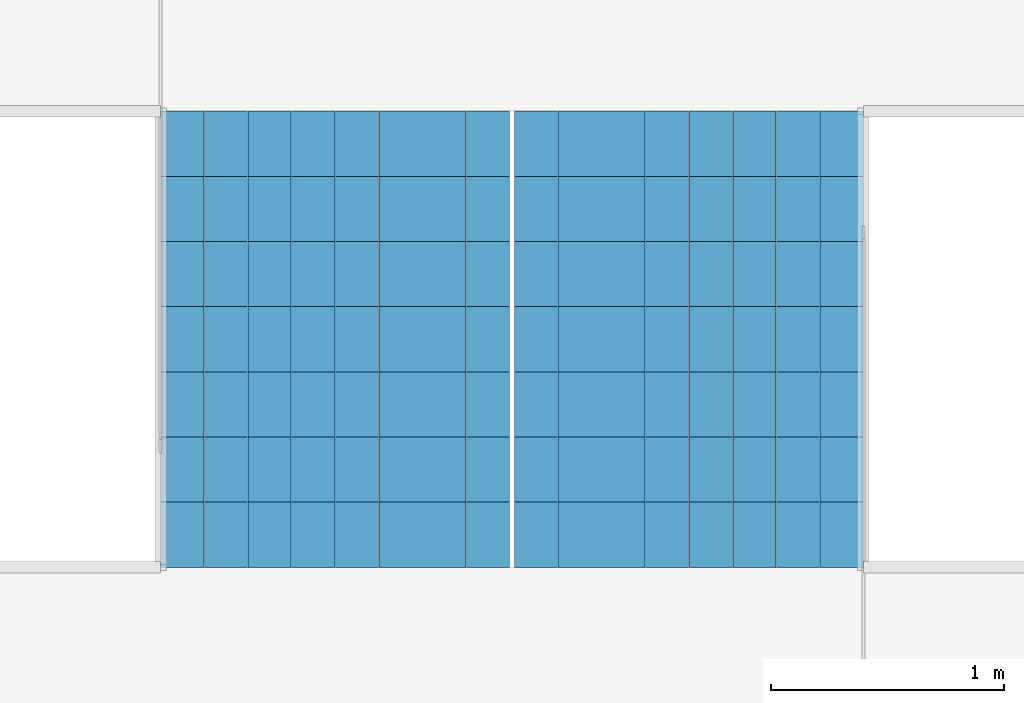
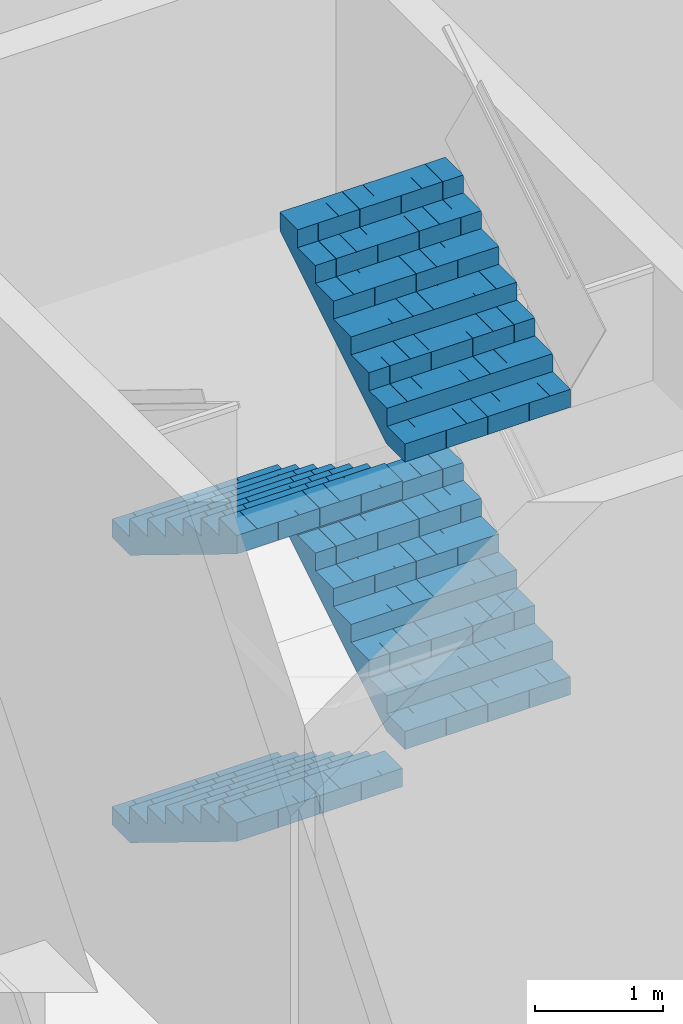
# One storey, part 25 of 27: 4 stair flights, 1 element without a shape of its own.
"""IFC4 building model written with IfcOpenShell, lengths in metres."""

from ifc_helpers import new_model, si_unit, direction, frame, origin, place, context, subcontext, project, spatial, polyline, outline, extrude, material, type_object, element, aggregate, save


model = new_model("IFC4")

# Units and contexts
model_context = context("Model", 3, precision=1e-05, world=origin(), true_north=direction((0.0, 1.0)))
body_context = subcontext(model_context, "Body", "Model", "MODEL_VIEW")
ifc_project = project(units=[si_unit("LENGTHUNIT", "METRE"), si_unit("AREAUNIT", "SQUARE_METRE"), si_unit("VOLUMEUNIT", "CUBIC_METRE"), si_unit("PLANEANGLEUNIT", "RADIAN"), si_unit("MASSUNIT", "GRAM", prefix="KILO")], contexts=[model_context])

# Site, building, storey
site_placement = place(None, origin())
site = spatial("IfcSite", under=ifc_project, at=site_placement, CompositionType="ELEMENT")
building_placement = place(site_placement, origin())
building = spatial("IfcBuilding", under=site, at=building_placement, Name="Kolab Exchange Tower", CompositionType="ELEMENT")
storey_placement = place(building_placement, frame((0.0, 0.0, 49.89990234375)))
storey = spatial("IfcBuildingStorey", under=building, at=storey_placement, Name="L09", CompositionType="ELEMENT", Elevation=49.89990234375)

# Stair, stair flights
ifc_material = material(Name="Concrete C50/60", Category="concrete")
stair_type = type_object("IfcStairType", Name="STAIR ST4 RISER 171.9", PredefinedType="DOUBLE_RETURN_STAIR", material=ifc_material)
stair_placement = place(storey_placement, origin())
stair = element("IfcStair", 1, at=stair_placement, inside=storey, type_object=stair_type, Name="Stair 4", PredefinedType="DOUBLE_RETURN_STAIR")
stair_flight_type = type_object("IfcStairFlightType", Name="STAIR FLIGHT 1500 RISER 171.9", PredefinedType="STRAIGHT", material=ifc_material)
stair_flight_1_placement = place(storey_placement, frame((18.43994140625, 0.64990234375, 0.0), z_axis=(0.0, 0.0, 1.0), x_axis=(0.0, -1.0, 0.0)))
stair_flight_1 = element("IfcStairFlight", 2, at=stair_flight_1_placement, type_object=stair_flight_type, Name="ST4 flight 1", NumberOfRisers=8, NumberOfTreads=7, PredefinedType="STRAIGHT", RiserHeight=0.171875, TreadLength=0.28, context=body_context, shape_type="SweptSolid", body=[
    extrude(outline(polyline([(0.0, 0.0), (0.0, 0.171875), (0.280029296875, 0.171875), (0.280029296875, 0.34375), (0.56005859375, 0.34375), (0.56005859375, 0.515625), (0.840087890625, 0.515625), (0.840087890625, 0.6875), (1.1201171875, 0.6875), (1.1201171875, 0.859375), (1.39990234375, 0.859375), (1.39990234375, 1.03125), (1.679931640625, 1.03125), (1.679931640625, 1.203125), (1.9599609375, 1.203125), (1.9599609375, 1.375), (1.9599609375, 1.02734375), (0.28662109375, 0.0), (0.0, 0.0)])), frame((0.0, 0.75, 0.0), z_axis=(0.0, -1.0, 0.0), x_axis=(1.0, 0.0, 0.0)), (0.0, 0.0, 1.0), 0.185791015625),
    extrude(outline(polyline([(0.0, 0.0), (0.0, 0.171875), (0.280029296875, 0.171875), (0.280029296875, 0.34375), (0.56005859375, 0.34375), (0.56005859375, 0.515625), (0.840087890625, 0.515625), (0.840087890625, 0.6875), (1.1201171875, 0.6875), (1.1201171875, 0.859375), (1.39990234375, 0.859375), (1.39990234375, 1.03125), (1.679931640625, 1.03125), (1.679931640625, 1.203125), (1.9599609375, 1.203125), (1.9599609375, 1.375), (1.9599609375, 1.02734375), (0.28662109375, 0.0), (0.0, 0.0)])), frame((0.0, 0.562255859375, 0.0), z_axis=(0.0, -1.0, 0.0), x_axis=(1.0, 0.0, 0.0)), (0.0, 0.0, 1.0), 0.185791015625),
    extrude(outline(polyline([(0.0, 0.0), (0.0, 0.171875), (0.280029296875, 0.171875), (0.280029296875, 0.34375), (0.56005859375, 0.34375), (0.56005859375, 0.515625), (0.840087890625, 0.515625), (0.840087890625, 0.6875), (1.1201171875, 0.6875), (1.1201171875, 0.859375), (1.39990234375, 0.859375), (1.39990234375, 1.03125), (1.679931640625, 1.03125), (1.679931640625, 1.203125), (1.9599609375, 1.203125), (1.9599609375, 1.375), (1.9599609375, 1.02734375), (0.28662109375, 0.0), (0.0, 0.0)])), frame((0.0, 0.37451171875, 0.0), z_axis=(0.0, -1.0, 0.0), x_axis=(1.0, 0.0, 0.0)), (0.0, 0.0, 1.0), 0.185791015625),
    extrude(outline(polyline([(0.0, 0.0), (0.0, 0.171875), (0.280029296875, 0.171875), (0.280029296875, 0.34375), (0.56005859375, 0.34375), (0.56005859375, 0.515625), (0.840087890625, 0.515625), (0.840087890625, 0.6875), (1.1201171875, 0.6875), (1.1201171875, 0.859375), (1.39990234375, 0.859375), (1.39990234375, 1.03125), (1.679931640625, 1.03125), (1.679931640625, 1.203125), (1.9599609375, 1.203125), (1.9599609375, 1.375), (1.9599609375, 1.02734375), (0.28662109375, 0.0), (0.0, 0.0)])), frame((0.0, 0.186767578125, 0.0), z_axis=(0.0, -1.0, 0.0), x_axis=(1.0, 0.0, 0.0)), (0.0, 0.0, 1.0), 0.185791015625),
    extrude(outline(polyline([(0.0, 0.0), (0.0, 0.171875), (0.280029296875, 0.171875), (0.280029296875, 0.34375), (0.56005859375, 0.34375), (0.56005859375, 0.515625), (0.840087890625, 0.515625), (0.840087890625, 0.6875), (1.1201171875, 0.6875), (1.1201171875, 0.859375), (1.39990234375, 0.859375), (1.39990234375, 1.03125), (1.679931640625, 1.03125), (1.679931640625, 1.203125), (1.9599609375, 1.203125), (1.9599609375, 1.375), (1.9599609375, 1.02734375), (0.28662109375, 0.0), (0.0, 0.0)])), frame((0.0, -0.0009765625, 0.0), z_axis=(0.0, -1.0, 0.0), x_axis=(1.0, 0.0, 0.0)), (0.0, 0.0, 1.0), 0.185791015625),
    extrude(outline(polyline([(0.0, 0.0), (0.0, 0.171875), (0.280029296875, 0.171875), (0.280029296875, 0.34375), (0.56005859375, 0.34375), (0.56005859375, 0.515625), (0.840087890625, 0.515625), (0.840087890625, 0.6875), (1.1201171875, 0.6875), (1.1201171875, 0.859375), (1.39990234375, 0.859375), (1.39990234375, 1.03125), (1.679931640625, 1.03125), (1.679931640625, 1.203125), (1.9599609375, 1.203125), (1.9599609375, 1.375), (1.9599609375, 1.02734375), (0.28662109375, 0.0), (0.0, 0.0)])), frame((0.0, -0.188720703125, 0.0), z_axis=(0.0, -1.0, 0.0), x_axis=(1.0, 0.0, 0.0)), (0.0, 0.0, 1.0), 0.185791015625),
    extrude(outline(polyline([(0.0, 0.0), (0.0, 0.171875), (0.280029296875, 0.171875), (0.280029296875, 0.34375), (0.56005859375, 0.34375), (0.56005859375, 0.515625), (0.840087890625, 0.515625), (0.840087890625, 0.6875), (1.1201171875, 0.6875), (1.1201171875, 0.859375), (1.39990234375, 0.859375), (1.39990234375, 1.03125), (1.679931640625, 1.03125), (1.679931640625, 1.203125), (1.9599609375, 1.203125), (1.9599609375, 1.375), (1.9599609375, 1.02734375), (0.28662109375, 0.0), (0.0, 0.0)])), frame((0.0, -0.37646484375, 0.0), z_axis=(0.0, -1.0, 0.0), x_axis=(1.0, 0.0, 0.0)), (0.0, 0.0, 1.0), 0.185791015625),
    extrude(outline(polyline([(0.0, 0.0), (0.0, 0.171875), (0.280029296875, 0.171875), (0.280029296875, 0.34375), (0.56005859375, 0.34375), (0.56005859375, 0.515625), (0.840087890625, 0.515625), (0.840087890625, 0.6875), (1.1201171875, 0.6875), (1.1201171875, 0.859375), (1.39990234375, 0.859375), (1.39990234375, 1.03125), (1.679931640625, 1.03125), (1.679931640625, 1.203125), (1.9599609375, 1.203125), (1.9599609375, 1.375), (1.9599609375, 1.02734375), (0.28662109375, 0.0), (0.0, 0.0)])), frame((0.0, -0.564208984375, 0.0), z_axis=(0.0, -1.0, 0.0), x_axis=(1.0, 0.0, 0.0)), (0.0, 0.0, 1.0), 0.185791015625),
])
stair_flight_2_placement = place(storey_placement, frame((19.9599609375, -1.31005859375, 1.375), z_axis=(0.0, 0.0, 1.0), x_axis=(0.0, 1.0, 0.0)))
stair_flight_2 = element("IfcStairFlight", 3, at=stair_flight_2_placement, type_object=stair_flight_type, Name="ST4 flight 2", NumberOfRisers=8, NumberOfTreads=7, PredefinedType="STRAIGHT", RiserHeight=0.171875, TreadLength=0.28, context=body_context, shape_type="SweptSolid", body=[
    extrude(outline(polyline([(0.0, 0.0), (0.0, 0.171875), (0.280029296875, 0.171875), (0.280029296875, 0.34375), (0.56005859375, 0.34375), (0.56005859375, 0.515625), (0.840087890625, 0.515625), (0.840087890625, 0.6875), (1.1201171875, 0.6875), (1.1201171875, 0.859375), (1.39990234375, 0.859375), (1.39990234375, 1.03125), (1.679931640625, 1.03125), (1.679931640625, 1.203125), (1.9599609375, 1.203125), (1.9599609375, 1.375), (1.9599609375, 1.02734375), (0.28662109375, 0.0), (0.0, 0.0)])), frame((0.0, 0.75, 0.0), z_axis=(0.0, -1.0, 0.0), x_axis=(1.0, 0.0, 0.0)), (0.0, 0.0, 1.0), 0.185791015625),
    extrude(outline(polyline([(0.0, 0.0), (0.0, 0.171875), (0.280029296875, 0.171875), (0.280029296875, 0.34375), (0.56005859375, 0.34375), (0.56005859375, 0.515625), (0.840087890625, 0.515625), (0.840087890625, 0.6875), (1.1201171875, 0.6875), (1.1201171875, 0.859375), (1.39990234375, 0.859375), (1.39990234375, 1.03125), (1.679931640625, 1.03125), (1.679931640625, 1.203125), (1.9599609375, 1.203125), (1.9599609375, 1.375), (1.9599609375, 1.02734375), (0.28662109375, 0.0), (0.0, 0.0)])), frame((0.0, 0.562255859375, 0.0), z_axis=(0.0, -1.0, 0.0), x_axis=(1.0, 0.0, 0.0)), (0.0, 0.0, 1.0), 0.185791015625),
    extrude(outline(polyline([(0.0, 0.0), (0.0, 0.171875), (0.280029296875, 0.171875), (0.280029296875, 0.34375), (0.56005859375, 0.34375), (0.56005859375, 0.515625), (0.840087890625, 0.515625), (0.840087890625, 0.6875), (1.1201171875, 0.6875), (1.1201171875, 0.859375), (1.39990234375, 0.859375), (1.39990234375, 1.03125), (1.679931640625, 1.03125), (1.679931640625, 1.203125), (1.9599609375, 1.203125), (1.9599609375, 1.375), (1.9599609375, 1.02734375), (0.28662109375, 0.0), (0.0, 0.0)])), frame((0.0, 0.37451171875, 0.0), z_axis=(0.0, -1.0, 0.0), x_axis=(1.0, 0.0, 0.0)), (0.0, 0.0, 1.0), 0.185791015625),
    extrude(outline(polyline([(0.0, 0.0), (0.0, 0.171875), (0.280029296875, 0.171875), (0.280029296875, 0.34375), (0.56005859375, 0.34375), (0.56005859375, 0.515625), (0.840087890625, 0.515625), (0.840087890625, 0.6875), (1.1201171875, 0.6875), (1.1201171875, 0.859375), (1.39990234375, 0.859375), (1.39990234375, 1.03125), (1.679931640625, 1.03125), (1.679931640625, 1.203125), (1.9599609375, 1.203125), (1.9599609375, 1.375), (1.9599609375, 1.02734375), (0.28662109375, 0.0), (0.0, 0.0)])), frame((0.0, 0.186767578125, 0.0), z_axis=(0.0, -1.0, 0.0), x_axis=(1.0, 0.0, 0.0)), (0.0, 0.0, 1.0), 0.185791015625),
    extrude(outline(polyline([(0.0, 0.0), (0.0, 0.171875), (0.280029296875, 0.171875), (0.280029296875, 0.34375), (0.56005859375, 0.34375), (0.56005859375, 0.515625), (0.840087890625, 0.515625), (0.840087890625, 0.6875), (1.1201171875, 0.6875), (1.1201171875, 0.859375), (1.39990234375, 0.859375), (1.39990234375, 1.03125), (1.679931640625, 1.03125), (1.679931640625, 1.203125), (1.9599609375, 1.203125), (1.9599609375, 1.375), (1.9599609375, 1.02734375), (0.28662109375, 0.0), (0.0, 0.0)])), frame((0.0, -0.0009765625, 0.0), z_axis=(0.0, -1.0, 0.0), x_axis=(1.0, 0.0, 0.0)), (0.0, 0.0, 1.0), 0.185791015625),
    extrude(outline(polyline([(0.0, 0.0), (0.0, 0.171875), (0.280029296875, 0.171875), (0.280029296875, 0.34375), (0.56005859375, 0.34375), (0.56005859375, 0.515625), (0.840087890625, 0.515625), (0.840087890625, 0.6875), (1.1201171875, 0.6875), (1.1201171875, 0.859375), (1.39990234375, 0.859375), (1.39990234375, 1.03125), (1.679931640625, 1.03125), (1.679931640625, 1.203125), (1.9599609375, 1.203125), (1.9599609375, 1.375), (1.9599609375, 1.02734375), (0.28662109375, 0.0), (0.0, 0.0)])), frame((0.0, -0.188720703125, 0.0), z_axis=(0.0, -1.0, 0.0), x_axis=(1.0, 0.0, 0.0)), (0.0, 0.0, 1.0), 0.185791015625),
    extrude(outline(polyline([(0.0, 0.0), (0.0, 0.171875), (0.280029296875, 0.171875), (0.280029296875, 0.34375), (0.56005859375, 0.34375), (0.56005859375, 0.515625), (0.840087890625, 0.515625), (0.840087890625, 0.6875), (1.1201171875, 0.6875), (1.1201171875, 0.859375), (1.39990234375, 0.859375), (1.39990234375, 1.03125), (1.679931640625, 1.03125), (1.679931640625, 1.203125), (1.9599609375, 1.203125), (1.9599609375, 1.375), (1.9599609375, 1.02734375), (0.28662109375, 0.0), (0.0, 0.0)])), frame((0.0, -0.37646484375, 0.0), z_axis=(0.0, -1.0, 0.0), x_axis=(1.0, 0.0, 0.0)), (0.0, 0.0, 1.0), 0.185791015625),
    extrude(outline(polyline([(0.0, 0.0), (0.0, 0.171875), (0.280029296875, 0.171875), (0.280029296875, 0.34375), (0.56005859375, 0.34375), (0.56005859375, 0.515625), (0.840087890625, 0.515625), (0.840087890625, 0.6875), (1.1201171875, 0.6875), (1.1201171875, 0.859375), (1.39990234375, 0.859375), (1.39990234375, 1.03125), (1.679931640625, 1.03125), (1.679931640625, 1.203125), (1.9599609375, 1.203125), (1.9599609375, 1.375), (1.9599609375, 1.02734375), (0.28662109375, 0.0), (0.0, 0.0)])), frame((0.0, -0.564208984375, 0.0), z_axis=(0.0, -1.0, 0.0), x_axis=(1.0, 0.0, 0.0)), (0.0, 0.0, 1.0), 0.185791015625),
])
stair_flight_3_placement = place(storey_placement, frame((18.43994140625, 0.64990234375, 2.75), z_axis=(0.0, 0.0, 1.0), x_axis=(0.0, -1.0, 0.0)))
stair_flight_3 = element("IfcStairFlight", 4, at=stair_flight_3_placement, type_object=stair_flight_type, Name="ST4 flight 3", NumberOfRisers=8, NumberOfTreads=7, PredefinedType="STRAIGHT", RiserHeight=0.171875, TreadLength=0.28, context=body_context, shape_type="SweptSolid", body=[
    extrude(outline(polyline([(0.0, 0.0), (0.0, 0.171875), (0.280029296875, 0.171875), (0.280029296875, 0.34375), (0.56005859375, 0.34375), (0.56005859375, 0.515625), (0.840087890625, 0.515625), (0.840087890625, 0.6875), (1.1201171875, 0.6875), (1.1201171875, 0.859375), (1.39990234375, 0.859375), (1.39990234375, 1.03125), (1.679931640625, 1.03125), (1.679931640625, 1.203125), (1.9599609375, 1.203125), (1.9599609375, 1.375), (1.9599609375, 1.02734375), (0.28662109375, 0.0), (0.0, 0.0)])), frame((0.0, 0.75, 0.0), z_axis=(0.0, -1.0, 0.0), x_axis=(1.0, 0.0, 0.0)), (0.0, 0.0, 1.0), 0.185791015625),
    extrude(outline(polyline([(0.0, 0.0), (0.0, 0.171875), (0.280029296875, 0.171875), (0.280029296875, 0.34375), (0.56005859375, 0.34375), (0.56005859375, 0.515625), (0.840087890625, 0.515625), (0.840087890625, 0.6875), (1.1201171875, 0.6875), (1.1201171875, 0.859375), (1.39990234375, 0.859375), (1.39990234375, 1.03125), (1.679931640625, 1.03125), (1.679931640625, 1.203125), (1.9599609375, 1.203125), (1.9599609375, 1.375), (1.9599609375, 1.02734375), (0.28662109375, 0.0), (0.0, 0.0)])), frame((0.0, 0.562255859375, 0.0), z_axis=(0.0, -1.0, 0.0), x_axis=(1.0, 0.0, 0.0)), (0.0, 0.0, 1.0), 0.185791015625),
    extrude(outline(polyline([(0.0, 0.0), (0.0, 0.171875), (0.280029296875, 0.171875), (0.280029296875, 0.34375), (0.56005859375, 0.34375), (0.56005859375, 0.515625), (0.840087890625, 0.515625), (0.840087890625, 0.6875), (1.1201171875, 0.6875), (1.1201171875, 0.859375), (1.39990234375, 0.859375), (1.39990234375, 1.03125), (1.679931640625, 1.03125), (1.679931640625, 1.203125), (1.9599609375, 1.203125), (1.9599609375, 1.375), (1.9599609375, 1.02734375), (0.28662109375, 0.0), (0.0, 0.0)])), frame((0.0, 0.37451171875, 0.0), z_axis=(0.0, -1.0, 0.0), x_axis=(1.0, 0.0, 0.0)), (0.0, 0.0, 1.0), 0.185791015625),
    extrude(outline(polyline([(0.0, 0.0), (0.0, 0.171875), (0.280029296875, 0.171875), (0.280029296875, 0.34375), (0.56005859375, 0.34375), (0.56005859375, 0.515625), (0.840087890625, 0.515625), (0.840087890625, 0.6875), (1.1201171875, 0.6875), (1.1201171875, 0.859375), (1.39990234375, 0.859375), (1.39990234375, 1.03125), (1.679931640625, 1.03125), (1.679931640625, 1.203125), (1.9599609375, 1.203125), (1.9599609375, 1.375), (1.9599609375, 1.02734375), (0.28662109375, 0.0), (0.0, 0.0)])), frame((0.0, 0.186767578125, 0.0), z_axis=(0.0, -1.0, 0.0), x_axis=(1.0, 0.0, 0.0)), (0.0, 0.0, 1.0), 0.185791015625),
    extrude(outline(polyline([(0.0, 0.0), (0.0, 0.171875), (0.280029296875, 0.171875), (0.280029296875, 0.34375), (0.56005859375, 0.34375), (0.56005859375, 0.515625), (0.840087890625, 0.515625), (0.840087890625, 0.6875), (1.1201171875, 0.6875), (1.1201171875, 0.859375), (1.39990234375, 0.859375), (1.39990234375, 1.03125), (1.679931640625, 1.03125), (1.679931640625, 1.203125), (1.9599609375, 1.203125), (1.9599609375, 1.375), (1.9599609375, 1.02734375), (0.28662109375, 0.0), (0.0, 0.0)])), frame((0.0, -0.0009765625, 0.0), z_axis=(0.0, -1.0, 0.0), x_axis=(1.0, 0.0, 0.0)), (0.0, 0.0, 1.0), 0.185791015625),
    extrude(outline(polyline([(0.0, 0.0), (0.0, 0.171875), (0.280029296875, 0.171875), (0.280029296875, 0.34375), (0.56005859375, 0.34375), (0.56005859375, 0.515625), (0.840087890625, 0.515625), (0.840087890625, 0.6875), (1.1201171875, 0.6875), (1.1201171875, 0.859375), (1.39990234375, 0.859375), (1.39990234375, 1.03125), (1.679931640625, 1.03125), (1.679931640625, 1.203125), (1.9599609375, 1.203125), (1.9599609375, 1.375), (1.9599609375, 1.02734375), (0.28662109375, 0.0), (0.0, 0.0)])), frame((0.0, -0.188720703125, 0.0), z_axis=(0.0, -1.0, 0.0), x_axis=(1.0, 0.0, 0.0)), (0.0, 0.0, 1.0), 0.185791015625),
    extrude(outline(polyline([(0.0, 0.0), (0.0, 0.171875), (0.280029296875, 0.171875), (0.280029296875, 0.34375), (0.56005859375, 0.34375), (0.56005859375, 0.515625), (0.840087890625, 0.515625), (0.840087890625, 0.6875), (1.1201171875, 0.6875), (1.1201171875, 0.859375), (1.39990234375, 0.859375), (1.39990234375, 1.03125), (1.679931640625, 1.03125), (1.679931640625, 1.203125), (1.9599609375, 1.203125), (1.9599609375, 1.375), (1.9599609375, 1.02734375), (0.28662109375, 0.0), (0.0, 0.0)])), frame((0.0, -0.37646484375, 0.0), z_axis=(0.0, -1.0, 0.0), x_axis=(1.0, 0.0, 0.0)), (0.0, 0.0, 1.0), 0.185791015625),
    extrude(outline(polyline([(0.0, 0.0), (0.0, 0.171875), (0.280029296875, 0.171875), (0.280029296875, 0.34375), (0.56005859375, 0.34375), (0.56005859375, 0.515625), (0.840087890625, 0.515625), (0.840087890625, 0.6875), (1.1201171875, 0.6875), (1.1201171875, 0.859375), (1.39990234375, 0.859375), (1.39990234375, 1.03125), (1.679931640625, 1.03125), (1.679931640625, 1.203125), (1.9599609375, 1.203125), (1.9599609375, 1.375), (1.9599609375, 1.02734375), (0.28662109375, 0.0), (0.0, 0.0)])), frame((0.0, -0.564208984375, 0.0), z_axis=(0.0, -1.0, 0.0), x_axis=(1.0, 0.0, 0.0)), (0.0, 0.0, 1.0), 0.185791015625),
])
stair_flight_4_placement = place(storey_placement, frame((19.9599609375, -1.31005859375, 4.125), z_axis=(0.0, 0.0, 1.0), x_axis=(0.0, 1.0, 0.0)))
stair_flight_4 = element("IfcStairFlight", 5, at=stair_flight_4_placement, type_object=stair_flight_type, Name="ST4 flight 4", NumberOfRisers=8, NumberOfTreads=7, PredefinedType="STRAIGHT", RiserHeight=0.171875, TreadLength=0.28, context=body_context, shape_type="SweptSolid", body=[
    extrude(outline(polyline([(0.0, 0.0), (0.0, 0.171875), (0.280029296875, 0.171875), (0.280029296875, 0.34375), (0.56005859375, 0.34375), (0.56005859375, 0.515625), (0.840087890625, 0.515625), (0.840087890625, 0.6875), (1.1201171875, 0.6875), (1.1201171875, 0.859375), (1.39990234375, 0.859375), (1.39990234375, 1.03125), (1.679931640625, 1.03125), (1.679931640625, 1.203125), (1.9599609375, 1.203125), (1.9599609375, 1.375), (1.9599609375, 1.02734375), (0.28662109375, 0.0), (0.0, 0.0)])), frame((0.0, 0.75, 0.0), z_axis=(0.0, -1.0, 0.0), x_axis=(1.0, 0.0, 0.0)), (0.0, 0.0, 1.0), 0.185791015625),
    extrude(outline(polyline([(0.0, 0.0), (0.0, 0.171875), (0.280029296875, 0.171875), (0.280029296875, 0.34375), (0.56005859375, 0.34375), (0.56005859375, 0.515625), (0.840087890625, 0.515625), (0.840087890625, 0.6875), (1.1201171875, 0.6875), (1.1201171875, 0.859375), (1.39990234375, 0.859375), (1.39990234375, 1.03125), (1.679931640625, 1.03125), (1.679931640625, 1.203125), (1.9599609375, 1.203125), (1.9599609375, 1.375), (1.9599609375, 1.02734375), (0.28662109375, 0.0), (0.0, 0.0)])), frame((0.0, 0.562255859375, 0.0), z_axis=(0.0, -1.0, 0.0), x_axis=(1.0, 0.0, 0.0)), (0.0, 0.0, 1.0), 0.185791015625),
    extrude(outline(polyline([(0.0, 0.0), (0.0, 0.171875), (0.280029296875, 0.171875), (0.280029296875, 0.34375), (0.56005859375, 0.34375), (0.56005859375, 0.515625), (0.840087890625, 0.515625), (0.840087890625, 0.6875), (1.1201171875, 0.6875), (1.1201171875, 0.859375), (1.39990234375, 0.859375), (1.39990234375, 1.03125), (1.679931640625, 1.03125), (1.679931640625, 1.203125), (1.9599609375, 1.203125), (1.9599609375, 1.375), (1.9599609375, 1.02734375), (0.28662109375, 0.0), (0.0, 0.0)])), frame((0.0, 0.37451171875, 0.0), z_axis=(0.0, -1.0, 0.0), x_axis=(1.0, 0.0, 0.0)), (0.0, 0.0, 1.0), 0.185791015625),
    extrude(outline(polyline([(0.0, 0.0), (0.0, 0.171875), (0.280029296875, 0.171875), (0.280029296875, 0.34375), (0.56005859375, 0.34375), (0.56005859375, 0.515625), (0.840087890625, 0.515625), (0.840087890625, 0.6875), (1.1201171875, 0.6875), (1.1201171875, 0.859375), (1.39990234375, 0.859375), (1.39990234375, 1.03125), (1.679931640625, 1.03125), (1.679931640625, 1.203125), (1.9599609375, 1.203125), (1.9599609375, 1.375), (1.9599609375, 1.02734375), (0.28662109375, 0.0), (0.0, 0.0)])), frame((0.0, 0.186767578125, 0.0), z_axis=(0.0, -1.0, 0.0), x_axis=(1.0, 0.0, 0.0)), (0.0, 0.0, 1.0), 0.185791015625),
    extrude(outline(polyline([(0.0, 0.0), (0.0, 0.171875), (0.280029296875, 0.171875), (0.280029296875, 0.34375), (0.56005859375, 0.34375), (0.56005859375, 0.515625), (0.840087890625, 0.515625), (0.840087890625, 0.6875), (1.1201171875, 0.6875), (1.1201171875, 0.859375), (1.39990234375, 0.859375), (1.39990234375, 1.03125), (1.679931640625, 1.03125), (1.679931640625, 1.203125), (1.9599609375, 1.203125), (1.9599609375, 1.375), (1.9599609375, 1.02734375), (0.28662109375, 0.0), (0.0, 0.0)])), frame((0.0, -0.0009765625, 0.0), z_axis=(0.0, -1.0, 0.0), x_axis=(1.0, 0.0, 0.0)), (0.0, 0.0, 1.0), 0.185791015625),
    extrude(outline(polyline([(0.0, 0.0), (0.0, 0.171875), (0.280029296875, 0.171875), (0.280029296875, 0.34375), (0.56005859375, 0.34375), (0.56005859375, 0.515625), (0.840087890625, 0.515625), (0.840087890625, 0.6875), (1.1201171875, 0.6875), (1.1201171875, 0.859375), (1.39990234375, 0.859375), (1.39990234375, 1.03125), (1.679931640625, 1.03125), (1.679931640625, 1.203125), (1.9599609375, 1.203125), (1.9599609375, 1.375), (1.9599609375, 1.02734375), (0.28662109375, 0.0), (0.0, 0.0)])), frame((0.0, -0.188720703125, 0.0), z_axis=(0.0, -1.0, 0.0), x_axis=(1.0, 0.0, 0.0)), (0.0, 0.0, 1.0), 0.185791015625),
    extrude(outline(polyline([(0.0, 0.0), (0.0, 0.171875), (0.280029296875, 0.171875), (0.280029296875, 0.34375), (0.56005859375, 0.34375), (0.56005859375, 0.515625), (0.840087890625, 0.515625), (0.840087890625, 0.6875), (1.1201171875, 0.6875), (1.1201171875, 0.859375), (1.39990234375, 0.859375), (1.39990234375, 1.03125), (1.679931640625, 1.03125), (1.679931640625, 1.203125), (1.9599609375, 1.203125), (1.9599609375, 1.375), (1.9599609375, 1.02734375), (0.28662109375, 0.0), (0.0, 0.0)])), frame((0.0, -0.37646484375, 0.0), z_axis=(0.0, -1.0, 0.0), x_axis=(1.0, 0.0, 0.0)), (0.0, 0.0, 1.0), 0.185791015625),
    extrude(outline(polyline([(0.0, 0.0), (0.0, 0.171875), (0.280029296875, 0.171875), (0.280029296875, 0.34375), (0.56005859375, 0.34375), (0.56005859375, 0.515625), (0.840087890625, 0.515625), (0.840087890625, 0.6875), (1.1201171875, 0.6875), (1.1201171875, 0.859375), (1.39990234375, 0.859375), (1.39990234375, 1.03125), (1.679931640625, 1.03125), (1.679931640625, 1.203125), (1.9599609375, 1.203125), (1.9599609375, 1.375), (1.9599609375, 1.02734375), (0.28662109375, 0.0), (0.0, 0.0)])), frame((0.0, -0.564208984375, 0.0), z_axis=(0.0, -1.0, 0.0), x_axis=(1.0, 0.0, 0.0)), (0.0, 0.0, 1.0), 0.185791015625),
])
aggregate(stair, [stair_flight_1, stair_flight_2, stair_flight_3, stair_flight_4])

save(model, "model.ifc")
